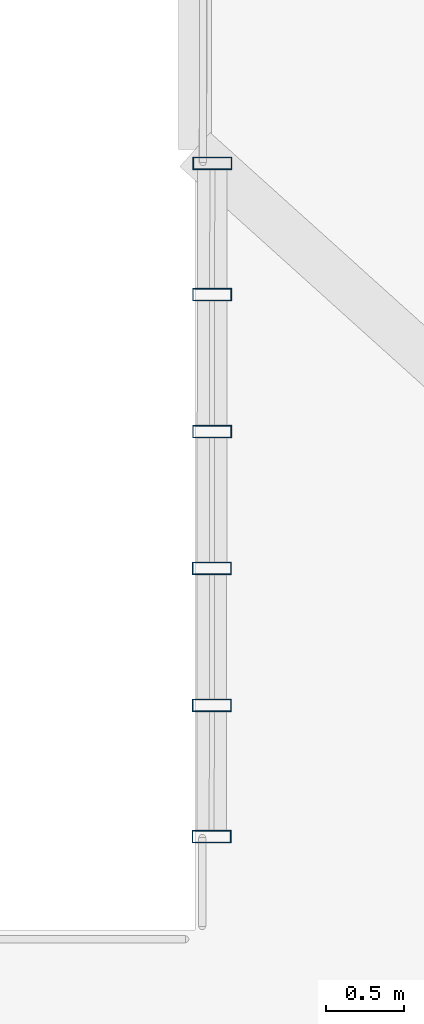
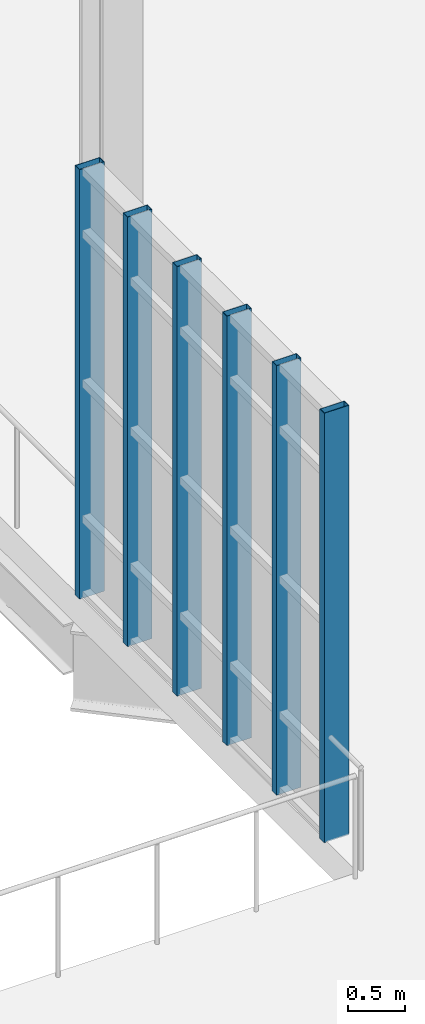
# One storey, part 27 of 189: 6 members, 1 element without a shape of its own.
"""IFC4 building model written with IfcOpenShell, lengths in metres."""

from ifc_helpers import new_model, si_unit, direction, frame, origin, origin_2d, place, context, subcontext, project, spatial, hollow_rectangle, extrude, material, layer, layer_set, material_profile, profile_set, type_object, element, aggregate, save


model = new_model("IFC4")

# Units and contexts
model_context = context("Model", 3, precision=1e-05, world=origin(), true_north=direction((0.0, 1.0)))
body_context = subcontext(model_context, "Body", "Model", "MODEL_VIEW")
ifc_project = project(units=[si_unit("LENGTHUNIT", "METRE"), si_unit("AREAUNIT", "SQUARE_METRE"), si_unit("VOLUMEUNIT", "CUBIC_METRE"), si_unit("PLANEANGLEUNIT", "RADIAN"), si_unit("MASSUNIT", "GRAM", prefix="KILO"), si_unit("THERMODYNAMICTEMPERATUREUNIT", "KELVIN"), si_unit("POWERUNIT", "WATT")], contexts=[model_context])

# Site, building, storey
site_placement = place(None, origin())
site = spatial("IfcSite", under=ifc_project, at=site_placement, CompositionType="ELEMENT")
building_placement = place(site_placement, origin())
building = spatial("IfcBuilding", under=site, at=building_placement, Name="Zelmaris Science Centre", CompositionType="ELEMENT")
storey_placement = place(building_placement, origin())
storey = spatial("IfcBuildingStorey", under=building, at=storey_placement, Name="L00", CompositionType="ELEMENT", Elevation=0.0)

# Curtain wall, members
ifc_material = material(Name="Anodised architectural aluminium 6063-T6", Category="aluminium")
ifc_layer = layer(ifc_material, 0.18994140625, Name="Anodised architectural aluminium 6063-T6")
ifc_layer_set = layer_set([ifc_layer], Name="Anodised architectural aluminium 6063-T6")
curtain_wall_type = type_object("IfcCurtainWallType", Name="Curtain Wall CW-01", PredefinedType="USERDEFINED", material=ifc_layer_set)
curtain_wall_placement = place(storey_placement, origin())
curtain_wall = element("IfcCurtainWall", 1, at=curtain_wall_placement, inside=storey, type_object=curtain_wall_type, Name="L00 Unitised curtain wall 49", ObjectType="GLAZED CURTAIN WALL", PredefinedType="USERDEFINED")
ifc_material_profile = material_profile(ifc_material, hollow_rectangle(XDim=0.080078125, YDim=0.25, WallThickness=0.0048828125, at=origin_2d()), Name="ALU-MUL-80X250")
ifc_profile_set = profile_set([ifc_material_profile], Name="Anodised architectural aluminium 6063-T6")
member_type = type_object("IfcMemberType", Name="ALU-MUL-80X250", PredefinedType="MULLION", material=ifc_profile_set)
member_1_placement = place(storey_placement, frame((64.10693359375, 31.597900390625, -0.014892578125), z_axis=(0.0, 0.0, 1.0), x_axis=(0.000945968313, 0.999999552572, 0.0)))
member_1 = element("IfcMember", 2, at=member_1_placement, type_object=member_type, Name="CW-01 mullion 1", PredefinedType="MULLION", context=body_context, shape_type="SweptSolid", body=[
    extrude(hollow_rectangle(XDim=0.080078125, YDim=0.25, WallThickness=0.0048828125, at=origin_2d()), origin(), (0.0, 0.0, 1.0), 4.614990234375),
])
member_2_placement = place(storey_placement, frame((64.107666015625, 32.43896484375, -0.014892578125), z_axis=(0.0, 0.0, 1.0), x_axis=(0.000945968313, 0.999999552572, 0.0)))
member_2 = element("IfcMember", 3, at=member_2_placement, type_object=member_type, Name="CW-01 mullion 2", PredefinedType="MULLION", context=body_context, shape_type="SweptSolid", body=[
    extrude(hollow_rectangle(XDim=0.080078125, YDim=0.25, WallThickness=0.0048828125, at=origin_2d()), origin(), (0.0, 0.0, 1.0), 4.614990234375),
])
member_3_placement = place(storey_placement, frame((64.108642578125, 33.316162109375, -0.014892578125), z_axis=(0.0, 0.0, 1.0), x_axis=(0.000945968313, 0.999999552572, 0.0)))
member_3 = element("IfcMember", 4, at=member_3_placement, type_object=member_type, Name="CW-01 mullion 3", PredefinedType="MULLION", context=body_context, shape_type="SweptSolid", body=[
    extrude(hollow_rectangle(XDim=0.080078125, YDim=0.25, WallThickness=0.0048828125, at=origin_2d()), origin(), (0.0, 0.0, 1.0), 4.614990234375),
])
member_4_placement = place(storey_placement, frame((64.109375, 34.193359375, -0.014892578125), z_axis=(0.0, 0.0, 1.0), x_axis=(0.000945968313, 0.999999552572, 0.0)))
member_4 = element("IfcMember", 5, at=member_4_placement, type_object=member_type, Name="CW-01 mullion 4", PredefinedType="MULLION", context=body_context, shape_type="SweptSolid", body=[
    extrude(hollow_rectangle(XDim=0.080078125, YDim=0.25, WallThickness=0.0048828125, at=origin_2d()), origin(), (0.0, 0.0, 1.0), 4.614990234375),
])
member_5_placement = place(storey_placement, frame((64.110107421875, 35.070556640625, -0.014892578125), z_axis=(0.0, 0.0, 1.0), x_axis=(0.000945968313, 0.999999552572, 0.0)))
member_5 = element("IfcMember", 6, at=member_5_placement, type_object=member_type, Name="CW-01 mullion 5", PredefinedType="MULLION", context=body_context, shape_type="SweptSolid", body=[
    extrude(hollow_rectangle(XDim=0.080078125, YDim=0.25, WallThickness=0.0048828125, at=origin_2d()), origin(), (0.0, 0.0, 1.0), 4.614990234375),
])
member_6_placement = place(storey_placement, frame((64.111083984375, 35.911865234375, -0.014892578125), z_axis=(0.0, 0.0, 1.0), x_axis=(0.000945968313, 0.999999552572, 0.0)))
member_6 = element("IfcMember", 7, at=member_6_placement, type_object=member_type, Name="CW-01 mullion 6", PredefinedType="MULLION", context=body_context, shape_type="SweptSolid", body=[
    extrude(hollow_rectangle(XDim=0.080078125, YDim=0.25, WallThickness=0.0048828125, at=origin_2d()), origin(), (0.0, 0.0, 1.0), 4.614990234375),
])
aggregate(curtain_wall, [member_1, member_2, member_3, member_4, member_5, member_6])

save(model, "model.ifc")
